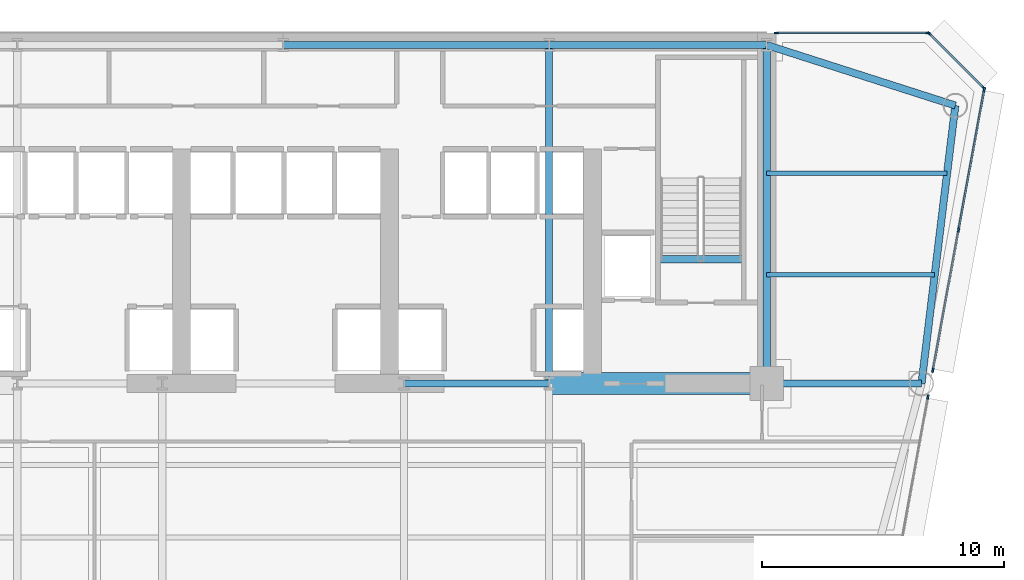
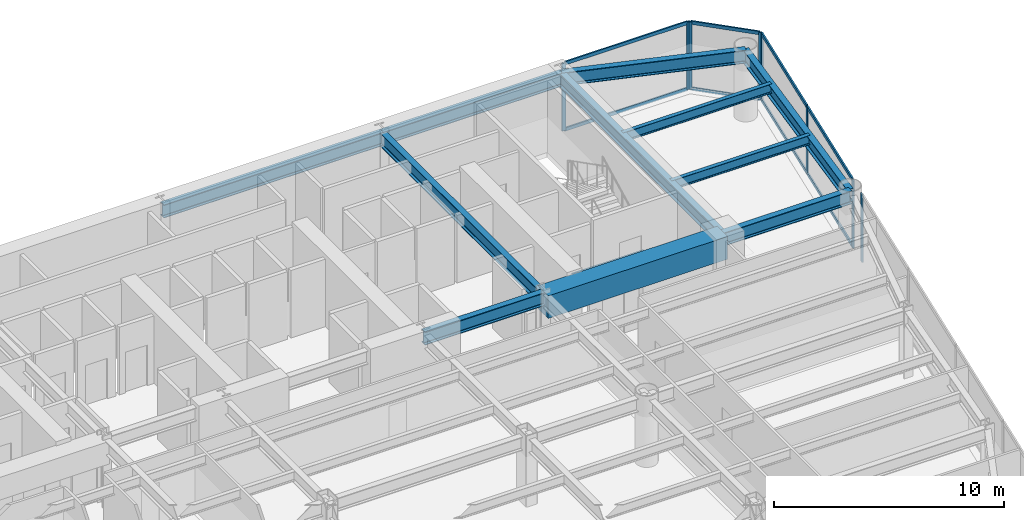
# One storey, part 6 of 14: 16 members, 12 beams, 4 elements without a shape of their own.
"""IFC4 building model written with IfcOpenShell, lengths in metres."""

from ifc_helpers import new_model, si_unit, direction, frame, origin, origin_2d, place, context, subcontext, project, spatial, rectangle, i_section, extrude, source, transform, mapped, material, layer, layer_set, material_profile, profile_set, type_object, element, aggregate, save


model = new_model("IFC4")

# Units and contexts
model_context = context("Model", 3, precision=1e-05, world=origin(), true_north=direction((0.0, 1.0)))
body_context = subcontext(model_context, "Body", "Model", "MODEL_VIEW")
ifc_project = project(units=[si_unit("LENGTHUNIT", "METRE"), si_unit("AREAUNIT", "SQUARE_METRE"), si_unit("VOLUMEUNIT", "CUBIC_METRE"), si_unit("PLANEANGLEUNIT", "RADIAN"), si_unit("MASSUNIT", "GRAM", prefix="KILO")], contexts=[model_context])

# Site, building, storey
site_placement = place(None, origin())
site = spatial("IfcSite", under=ifc_project, at=site_placement, CompositionType="ELEMENT")
building_placement = place(site_placement, origin())
building = spatial("IfcBuilding", under=site, at=building_placement, Name="Vaeldorn Concourse Tower", CompositionType="ELEMENT")
storey_placement = place(building_placement, frame((0.0, 0.0, 88.199951171875)))
storey = spatial("IfcBuildingStorey", under=building, at=storey_placement, Name="L22", CompositionType="ELEMENT", Elevation=88.199951171875)

# Beams
ifc_material_1 = material(Name="Concrete C60/75", Category="concrete")
ifc_material_profile_1 = material_profile(ifc_material_1, rectangle(XDim=0.89990234375, YDim=1.199951171875, at=origin_2d()), Name="RC 900x1200")
ifc_profile_set_1 = profile_set([ifc_material_profile_1], Name="Concrete C60/75")
beam_type_1 = type_object("IfcBeamType", Name="BM-CB-RC900", PredefinedType="BEAM", material=ifc_profile_set_1)
shared_shape_1 = source(origin(), body_context, "Body", "SweptSolid", [
    extrude(rectangle(XDim=0.89990234375, YDim=1.199951171875, at=origin_2d()), origin(), (0.0, 0.0, 1.0), 9.0),
])
beam_1_placement = place(storey_placement, frame((45.0, 36.5, 2.97998046875), z_axis=(1.0, 0.0, 0.0), x_axis=(0.0, 1.0, 0.0)))
element("IfcBeam", 1, at=beam_1_placement, inside=storey, type_object=beam_type_1, Name="Core Coupling Beam L22-2", PredefinedType="BEAM", context=body_context, shape_type="MappedRepresentation", body=[
    mapped(shared_shape_1, transform((0.0, 0.0, 0.0), scale=1.0)),
])
ifc_material_2 = material(Name="Steel S355", Category="steel")
ifc_material_profile_2 = material_profile(ifc_material_2, i_section(OverallWidth=0.300048828125, OverallDepth=0.340087890625, WebThickness=0.011962890625, FlangeThickness=0.021484375, FilletRadius=0.027099609375, at=origin_2d()), Name="HEB 340")
ifc_profile_set_2 = profile_set([ifc_material_profile_2], Name="Steel S355")
beam_type_2 = type_object("IfcBeamType", Name="BM-ST-TRIM", PredefinedType="BEAM", material=ifc_profile_set_2)
shared_shape_2 = source(origin(), body_context, "Body", "SweptSolid", [
    extrude(i_section(OverallWidth=0.300048828125, OverallDepth=0.340087890625, WebThickness=0.011962890625, FlangeThickness=0.021484375, FilletRadius=0.027099609375, at=origin_2d()), origin(), (0.0, 0.0, 1.0), 3.590087890625),
])
beam_2_placement = place(storey_placement, frame((49.47998046875, 41.639892578125, -0.429931640625), z_axis=(1.0, 0.0, 0.0), x_axis=(0.0, 1.0, 0.0)))
element("IfcBeam", 2, at=beam_2_placement, inside=storey, type_object=beam_type_2, Name="Stair Landing Trimmer Beam ST-2 L22", PredefinedType="BEAM", context=body_context, shape_type="MappedRepresentation", body=[
    mapped(shared_shape_2, transform((0.0, 0.0, 0.0), scale=1.0)),
])
ifc_material_profile_3 = material_profile(ifc_material_2, i_section(OverallWidth=0.199951171875, OverallDepth=0.5, WebThickness=0.01025390625, FlangeThickness=0.01611328125, FilletRadius=0.02099609375, at=origin_2d()), Name="IPE 500")
ifc_profile_set_3 = profile_set([ifc_material_profile_3], Name="Steel S355")
beam_type_3 = type_object("IfcBeamType", Name="BM-JS-IPE500", PredefinedType="JOIST", material=ifc_profile_set_3)
shared_shape_3 = source(origin(), body_context, "Body", "SweptSolid", [
    extrude(i_section(OverallWidth=0.199951171875, OverallDepth=0.5, WebThickness=0.01025390625, FlangeThickness=0.01611328125, FilletRadius=0.02099609375, at=origin_2d()), origin(), (0.0, 0.0, 1.0), 6.94775390625),
])
beam_3_placement = place(storey_placement, frame((54.0, 41.0, 3.330078125), z_axis=(1.0, 0.0, 0.0), x_axis=(0.0, 1.0, 0.0)))
element("IfcBeam", 3, at=beam_3_placement, inside=storey, type_object=beam_type_3, Name="Beam JS-L22-NE-410", PredefinedType="JOIST", context=body_context, shape_type="MappedRepresentation", body=[
    mapped(shared_shape_3, transform((0.0, 0.0, 0.0), scale=1.0)),
])
shared_shape_4 = source(origin(), body_context, "Body", "SweptSolid", [
    extrude(i_section(OverallWidth=0.199951171875, OverallDepth=0.5, WebThickness=0.01025390625, FlangeThickness=0.01611328125, FilletRadius=0.02099609375, at=origin_2d()), origin(), (0.0, 0.0, 1.0), 7.458984375),
])
beam_4_placement = place(storey_placement, frame((54.0, 45.199951171875, 3.330078125), z_axis=(1.0, 0.0, 0.0), x_axis=(0.0, 1.0, 0.0)))
element("IfcBeam", 4, at=beam_4_placement, inside=storey, type_object=beam_type_3, Name="Beam JS-L22-NE-452", PredefinedType="JOIST", context=body_context, shape_type="MappedRepresentation", body=[
    mapped(shared_shape_4, transform((0.0, 0.0, 0.0), scale=1.0)),
])
ifc_material_profile_4 = material_profile(ifc_material_2, i_section(OverallWidth=0.300048828125, OverallDepth=0.699951171875, WebThickness=0.01708984375, FlangeThickness=0.031982421875, FilletRadius=0.027099609375, at=origin_2d()), Name="HEB 700")
ifc_profile_set_4 = profile_set([ifc_material_profile_4], Name="Steel S355")
beam_type_4 = type_object("IfcBeamType", Name="BM-PG-HEB700", PredefinedType="BEAM", material=ifc_profile_set_4)
shared_shape_5 = source(origin(), body_context, "Body", "SweptSolid", [
    extrude(i_section(OverallWidth=0.300048828125, OverallDepth=0.699951171875, WebThickness=0.01708984375, FlangeThickness=0.031982421875, FilletRadius=0.027099609375, at=origin_2d()), origin(), (0.0, 0.0, 1.0), 6.0),
])
beam_5_placement = place(storey_placement, frame((39.0, 36.5, 3.22998046875), z_axis=(1.0, 0.0, 0.0), x_axis=(0.0, 1.0, 0.0)))
element("IfcBeam", 5, at=beam_5_placement, inside=storey, type_object=beam_type_4, Name="Beam BM-L22-C-FC4-C-FC5", PredefinedType="BEAM", context=body_context, shape_type="MappedRepresentation", body=[
    mapped(shared_shape_5, transform((0.0, 0.0, 0.0), scale=1.0)),
])
shared_shape_6 = source(origin(), body_context, "Body", "SweptSolid", [
    extrude(i_section(OverallWidth=0.300048828125, OverallDepth=0.699951171875, WebThickness=0.01708984375, FlangeThickness=0.031982421875, FilletRadius=0.027099609375, at=origin_2d()), origin(), (0.0, 0.0, 1.0), 9.0),
])
beam_6_placement = place(storey_placement, frame((45.0, 50.5, 3.22998046875), z_axis=(1.0, 0.0, 0.0), x_axis=(0.0, 1.0, 0.0)))
element("IfcBeam", 6, at=beam_6_placement, inside=storey, type_object=beam_type_4, Name="Beam BM-L22-C-HC4-C-HC5", PredefinedType="BEAM", context=body_context, shape_type="MappedRepresentation", body=[
    mapped(shared_shape_6, transform((0.0, 0.0, 0.0), scale=1.0)),
])
shared_shape_7 = source(origin(), body_context, "Body", "SweptSolid", [
    extrude(i_section(OverallWidth=0.300048828125, OverallDepth=0.699951171875, WebThickness=0.01708984375, FlangeThickness=0.031982421875, FilletRadius=0.027099609375, at=origin_2d()), origin(), (0.0, 0.0, 1.0), 11.0),
])
beam_7_placement = place(storey_placement, frame((34.0, 50.5, 3.22998046875), z_axis=(1.0, 0.0, 0.0), x_axis=(0.0, 1.0, 0.0)))
element("IfcBeam", 7, at=beam_7_placement, inside=storey, type_object=beam_type_4, Name="Beam BM-L22-C-HC3-C-HC4", PredefinedType="BEAM", context=body_context, shape_type="MappedRepresentation", body=[
    mapped(shared_shape_7, transform((0.0, 0.0, 0.0), scale=1.0)),
])
shared_shape_8 = source(origin(), body_context, "Body", "SweptSolid", [
    extrude(i_section(OverallWidth=0.300048828125, OverallDepth=0.699951171875, WebThickness=0.01708984375, FlangeThickness=0.031982421875, FilletRadius=0.027099609375, at=origin_2d()), origin(), (0.0, 0.0, 1.0), 14.0),
])
for number, where, z_axis, x_axis, name in (
    (8, (45.0, 36.5, 3.22998046875), (0.0, 1.0, 0.0), (-1.0, 0.0, 0.0), "Beam BM-L22-C-FC5-C-HC4"),
    (9, (54.0, 36.5, 3.22998046875), (0.0, 1.0, 0.0), (-1.0, 0.0, 0.0), "Beam BM-L22-C-FC6-C-HC5"),
):
    element("IfcBeam", number, at=place(storey_placement, frame(where, z_axis=z_axis, x_axis=x_axis)), inside=storey, type_object=beam_type_4, Name=name, PredefinedType="BEAM", context=body_context, shape_type="MappedRepresentation", body=[
        mapped(shared_shape_8, transform((0.0, 0.0, 0.0), scale=1.0)),
    ])
shared_shape_9 = source(origin(), body_context, "Body", "SweptSolid", [
    extrude(i_section(OverallWidth=0.300048828125, OverallDepth=0.699951171875, WebThickness=0.01708984375, FlangeThickness=0.031982421875, FilletRadius=0.027099609375, at=origin_2d()), origin(), (0.0, 0.0, 1.0), 8.19091796875),
])
beam_8_placement = place(storey_placement, frame((54.0, 50.5, 3.22998046875), z_axis=(0.952282843383, -0.305216949396, 0.0), x_axis=(0.305216949396, 0.952282843383, 0.0)))
element("IfcBeam", 10, at=beam_8_placement, inside=storey, type_object=beam_type_4, Name="Beam BM-L22-C-HC5-C-NE1", PredefinedType="BEAM", context=body_context, shape_type="MappedRepresentation", body=[
    mapped(shared_shape_9, transform((0.0, 0.0, 0.0), scale=1.0)),
])
shared_shape_10 = source(origin(), body_context, "Body", "SweptSolid", [
    extrude(i_section(OverallWidth=0.300048828125, OverallDepth=0.699951171875, WebThickness=0.01708984375, FlangeThickness=0.031982421875, FilletRadius=0.027099609375, at=origin_2d()), origin(), (0.0, 0.0, 1.0), 11.5849609375),
])
beam_9_placement = place(storey_placement, frame((61.800048828125, 48.0, 3.22998046875), z_axis=(-0.120859382899, -0.992669637677, 0.0), x_axis=(0.992669637677, -0.120859382899, 0.0)))
element("IfcBeam", 11, at=beam_9_placement, inside=storey, type_object=beam_type_4, Name="Beam BM-L22-C-NE1-C-NE2", PredefinedType="BEAM", context=body_context, shape_type="MappedRepresentation", body=[
    mapped(shared_shape_10, transform((0.0, 0.0, 0.0), scale=1.0)),
])
shared_shape_11 = source(origin(), body_context, "Body", "SweptSolid", [
    extrude(i_section(OverallWidth=0.300048828125, OverallDepth=0.699951171875, WebThickness=0.01708984375, FlangeThickness=0.031982421875, FilletRadius=0.027099609375, at=origin_2d()), origin(), (0.0, 0.0, 1.0), 6.39990234375),
])
beam_10_placement = place(storey_placement, frame((54.0, 36.5, 3.22998046875), z_axis=(1.0, 0.0, 0.0), x_axis=(0.0, 1.0, 0.0)))
element("IfcBeam", 12, at=beam_10_placement, inside=storey, type_object=beam_type_4, Name="Beam BM-L22-C-FC6-C-NE2", PredefinedType="BEAM", context=body_context, shape_type="MappedRepresentation", body=[
    mapped(shared_shape_11, transform((0.0, 0.0, 0.0), scale=1.0)),
])

# Curtain wall, members
ifc_material_3 = material(Name="Anodised Bronze Aluminium", Category="aluminium")
ifc_layer = layer(ifc_material_3, 0.199951171875)
ifc_layer_set = layer_set([ifc_layer], Name="Anodised Bronze Aluminium")
curtain_wall_type = type_object("IfcCurtainWallType", Name="CW-SYS-02", PredefinedType="NOTDEFINED", material=ifc_layer_set)
curtain_wall_1_placement = place(storey_placement, origin())
curtain_wall_1 = element("IfcCurtainWall", 13, at=curtain_wall_1_placement, inside=storey, type_object=curtain_wall_type, Name="Unitised Curtain Wall CW-L22-E08-1", PredefinedType="NOTDEFINED")
ifc_material_profile_5 = material_profile(ifc_material_3, rectangle(XDim=0.074951171875, YDim=0.179931640625, at=origin_2d()), Name="CWT 75x180")
ifc_profile_set_5 = profile_set([ifc_material_profile_5], Name="Anodised Bronze Aluminium")
member_type_1 = type_object("IfcMemberType", Name="CWT-BRONZE-180", PredefinedType="USERDEFINED", material=ifc_profile_set_5)
shared_shape_12 = source(origin(), body_context, "Body", "SweptSolid", [
    extrude(rectangle(XDim=0.074951171875, YDim=0.179931640625, at=origin_2d()), origin(), (0.0, 0.0, 1.0), 3.10302734375),
])
member_1_placement = place(storey_placement, frame((62.947021484375, 48.7529296875, 0.03759765625), z_axis=(-0.707106781187, 0.707106781187, 0.0), x_axis=(-0.707106781187, -0.707106781187, 0.0)))
member_1 = element("IfcMember", 14, at=member_1_placement, type_object=member_type_1, Name="CW-02 transom 1.1", ObjectType="TRANSOM", PredefinedType="USERDEFINED", context=body_context, shape_type="MappedRepresentation", body=[
    mapped(shared_shape_12, transform((0.0, 0.0, 0.0), scale=1.0)),
])
member_2_placement = place(storey_placement, frame((62.947021484375, 48.7529296875, 3.54248046875), z_axis=(-0.707106781187, 0.707106781187, 0.0), x_axis=(-0.707106781187, -0.707106781187, 0.0)))
member_2 = element("IfcMember", 15, at=member_2_placement, type_object=member_type_1, Name="CW-02 transom 1.2", ObjectType="TRANSOM", PredefinedType="USERDEFINED", context=body_context, shape_type="MappedRepresentation", body=[
    mapped(shared_shape_12, transform((0.0, 0.0, 0.0), scale=1.0)),
])

# Curtain wall, member
curtain_wall_2_placement = place(storey_placement, origin())
curtain_wall_2 = element("IfcCurtainWall", 16, at=curtain_wall_2_placement, inside=storey, type_object=curtain_wall_type, Name="Unitised Curtain Wall CW-L22-E07-1", PredefinedType="NOTDEFINED")
ifc_material_profile_6 = material_profile(ifc_material_3, rectangle(XDim=0.074951171875, YDim=0.18994140625, at=origin_2d()), Name="CWM 75x190")
ifc_profile_set_6 = profile_set([ifc_material_profile_6], Name="Anodised Bronze Aluminium")
member_type_2 = type_object("IfcMemberType", Name="CWM-BRONZE-190", PredefinedType="MULLION", material=ifc_profile_set_6)
shared_shape_13 = source(origin(), body_context, "Body", "SweptSolid", [
    extrude(rectangle(XDim=0.074951171875, YDim=0.18994140625, at=origin_2d()), origin(), (0.0, 0.0, 1.0), 3.580078125),
])
member_3_placement = place(storey_placement, frame((60.66943359375, 35.945068359375, 0.0), z_axis=(0.0, 0.0, 1.0), x_axis=(-0.983711798531, 0.179752878786, 0.0)))
member_3 = element("IfcMember", 17, at=member_3_placement, type_object=member_type_2, Name="CW-02 mullion 6", PredefinedType="MULLION", context=body_context, shape_type="MappedRepresentation", body=[
    mapped(shared_shape_13, transform((0.0, 0.0, 0.0), scale=1.0)),
])
aggregate(curtain_wall_2, [member_3])

# Curtain wall, members
curtain_wall_3_placement = place(storey_placement, origin())
curtain_wall_3 = element("IfcCurtainWall", 18, at=curtain_wall_3_placement, inside=storey, type_object=curtain_wall_type, Name="Unitised Curtain Wall CW-L22-E07-2", PredefinedType="NOTDEFINED")
member_4_placement = place(storey_placement, frame((60.8720703125, 37.054931640625, 0.0), z_axis=(0.0, 0.0, 1.0), x_axis=(-0.983712433121, 0.179749405906, 0.0)))
member_4 = element("IfcMember", 19, at=member_4_placement, type_object=member_type_2, Name="CW-02 mullion 1", PredefinedType="MULLION", context=body_context, shape_type="MappedRepresentation", body=[
    mapped(shared_shape_13, transform((0.0, 0.0, 0.0), scale=1.0)),
])
member_5_placement = place(storey_placement, frame((61.9326171875, 42.85888671875, 0.0), z_axis=(0.0, 0.0, 1.0), x_axis=(-0.983712433121, 0.179749405906, 0.0)))
member_5 = element("IfcMember", 20, at=member_5_placement, type_object=member_type_2, Name="CW-02 mullion 2", PredefinedType="MULLION", context=body_context, shape_type="MappedRepresentation", body=[
    mapped(shared_shape_13, transform((0.0, 0.0, 0.0), scale=1.0)),
])
member_6_placement = place(storey_placement, frame((62.9931640625, 48.6630859375, 0.0), z_axis=(0.0, 0.0, 1.0), x_axis=(-0.983712433121, 0.179749405906, 0.0)))
member_6 = element("IfcMember", 21, at=member_6_placement, type_object=member_type_2, Name="CW-02 mullion 3", PredefinedType="MULLION", context=body_context, shape_type="MappedRepresentation", body=[
    mapped(shared_shape_13, transform((0.0, 0.0, 0.0), scale=1.0)),
])

# Member
member_7_placement = place(storey_placement, frame((62.973388671875, 48.7265625, 0.0), z_axis=(0.0, 0.0, 1.0), x_axis=(-0.707106781187, -0.707106781187, 0.0)))
member_7 = element("IfcMember", 22, at=member_7_placement, type_object=member_type_2, Name="CW-02 mullion 1", PredefinedType="MULLION", context=body_context, shape_type="MappedRepresentation", body=[
    mapped(shared_shape_13, transform((0.0, 0.0, 0.0), scale=1.0)),
])

member_8_placement = place(storey_placement, frame((60.7265625, 50.973388671875, 0.0), z_axis=(0.0, 0.0, 1.0), x_axis=(-0.707106781187, -0.707106781187, 0.0)))
member_8 = element("IfcMember", 23, at=member_8_placement, type_object=member_type_2, Name="CW-02 mullion 2", PredefinedType="MULLION", context=body_context, shape_type="MappedRepresentation", body=[
    mapped(shared_shape_13, transform((0.0, 0.0, 0.0), scale=1.0)),
])

aggregate(curtain_wall_1, [member_7, member_8, member_1, member_2])

# Curtain wall, members
curtain_wall_4_placement = place(storey_placement, origin())
curtain_wall_4 = element("IfcCurtainWall", 24, at=curtain_wall_4_placement, inside=storey, type_object=curtain_wall_type, Name="Unitised Curtain Wall CW-L22-E09-1", PredefinedType="NOTDEFINED")
member_9_placement = place(storey_placement, frame((60.66259765625, 51.0, 0.0), z_axis=(0.0, 0.0, 1.0), x_axis=(0.0, -1.0, 0.0)))
member_9 = element("IfcMember", 25, at=member_9_placement, type_object=member_type_2, Name="CW-02 mullion 1", PredefinedType="MULLION", context=body_context, shape_type="MappedRepresentation", body=[
    mapped(shared_shape_13, transform((0.0, 0.0, 0.0), scale=1.0)),
])
member_10_placement = place(storey_placement, frame((54.407470703125, 51.0, 0.0), z_axis=(0.0, 0.0, 1.0), x_axis=(0.0, -1.0, 0.0)))
member_10 = element("IfcMember", 26, at=member_10_placement, type_object=member_type_2, Name="CW-02 mullion 2", PredefinedType="MULLION", context=body_context, shape_type="MappedRepresentation", body=[
    mapped(shared_shape_13, transform((0.0, 0.0, 0.0), scale=1.0)),
])

# Member
shared_shape_14 = source(origin(), body_context, "Body", "SweptSolid", [
    extrude(rectangle(XDim=0.074951171875, YDim=0.179931640625, at=origin_2d()), origin(), (0.0, 0.0, 1.0), 5.8251953125),
])
member_11_placement = place(storey_placement, frame((60.87890625, 37.091796875, 0.03759765625), z_axis=(0.179759478977, 0.98371059246, 0.0), x_axis=(-0.98371059246, 0.179759478977, 0.0)))
member_11 = element("IfcMember", 27, at=member_11_placement, type_object=member_type_1, Name="CW-02 transom 1.1", ObjectType="TRANSOM", PredefinedType="USERDEFINED", context=body_context, shape_type="MappedRepresentation", body=[
    mapped(shared_shape_14, transform((0.0, 0.0, 0.0), scale=1.0)),
])

member_12_placement = place(storey_placement, frame((60.87890625, 37.091796875, 3.54248046875), z_axis=(0.179759478977, 0.98371059246, 0.0), x_axis=(-0.98371059246, 0.179759478977, 0.0)))
member_12 = element("IfcMember", 28, at=member_12_placement, type_object=member_type_1, Name="CW-02 transom 1.2", ObjectType="TRANSOM", PredefinedType="USERDEFINED", context=body_context, shape_type="MappedRepresentation", body=[
    mapped(shared_shape_14, transform((0.0, 0.0, 0.0), scale=1.0)),
])

member_13_placement = place(storey_placement, frame((61.939453125, 42.89599609375, 0.03759765625), z_axis=(0.179759478977, 0.98371059246, 0.0), x_axis=(-0.98371059246, 0.179759478977, 0.0)))
member_13 = element("IfcMember", 29, at=member_13_placement, type_object=member_type_1, Name="CW-02 transom 2.1", ObjectType="TRANSOM", PredefinedType="USERDEFINED", context=body_context, shape_type="MappedRepresentation", body=[
    mapped(shared_shape_14, transform((0.0, 0.0, 0.0), scale=1.0)),
])

member_14_placement = place(storey_placement, frame((61.939453125, 42.89599609375, 3.54248046875), z_axis=(0.179759478977, 0.98371059246, 0.0), x_axis=(-0.98371059246, 0.179759478977, 0.0)))
member_14 = element("IfcMember", 30, at=member_14_placement, type_object=member_type_1, Name="CW-02 transom 2.2", ObjectType="TRANSOM", PredefinedType="USERDEFINED", context=body_context, shape_type="MappedRepresentation", body=[
    mapped(shared_shape_14, transform((0.0, 0.0, 0.0), scale=1.0)),
])

aggregate(curtain_wall_3, [member_4, member_5, member_6, member_11, member_12, member_13, member_14])

shared_shape_15 = source(origin(), body_context, "Body", "SweptSolid", [
    extrude(rectangle(XDim=0.074951171875, YDim=0.179931640625, at=origin_2d()), origin(), (0.0, 0.0, 1.0), 6.179931640625),
])
member_15_placement = place(storey_placement, frame((60.625, 51.0, 0.03759765625), z_axis=(-1.0, 0.0, 0.0), x_axis=(0.0, -1.0, 0.0)))
member_15 = element("IfcMember", 31, at=member_15_placement, type_object=member_type_1, Name="CW-02 transom 1.1", ObjectType="TRANSOM", PredefinedType="USERDEFINED", context=body_context, shape_type="MappedRepresentation", body=[
    mapped(shared_shape_15, transform((0.0, 0.0, 0.0), scale=1.0)),
])

member_16_placement = place(storey_placement, frame((60.625, 51.0, 3.54248046875), z_axis=(-1.0, 0.0, 0.0), x_axis=(0.0, -1.0, 0.0)))
member_16 = element("IfcMember", 32, at=member_16_placement, type_object=member_type_1, Name="CW-02 transom 1.2", ObjectType="TRANSOM", PredefinedType="USERDEFINED", context=body_context, shape_type="MappedRepresentation", body=[
    mapped(shared_shape_15, transform((0.0, 0.0, 0.0), scale=1.0)),
])

aggregate(curtain_wall_4, [member_9, member_10, member_15, member_16])

save(model, "model.ifc")
